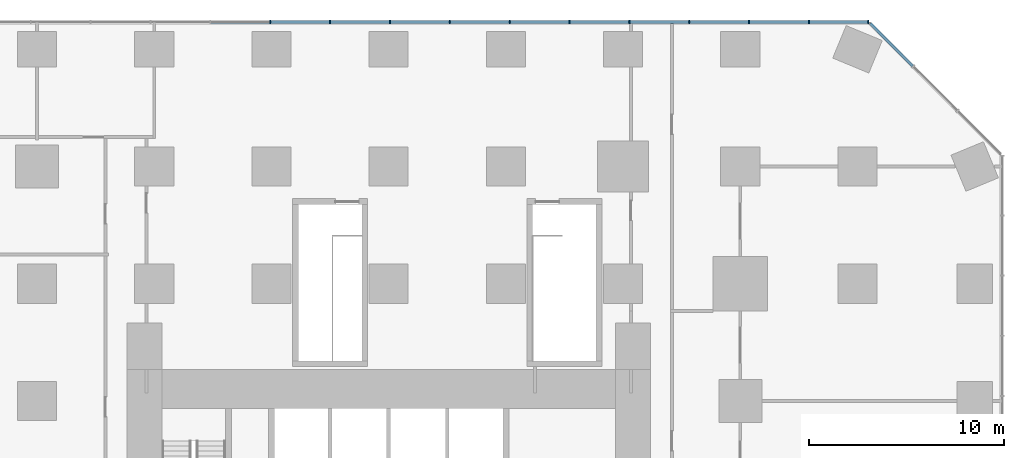
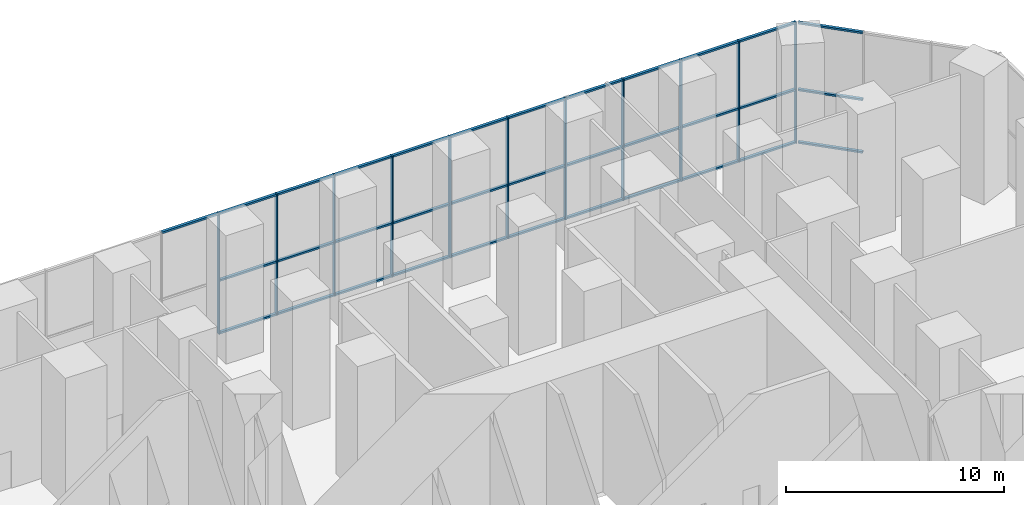
# One storey, part 6 of 16: 45 members, 2 elements without a shape of their own.
"""IFC4 building model written with IfcOpenShell, lengths in metres."""

from ifc_helpers import new_model, si_unit, direction, frame, origin, origin_2d, place, context, subcontext, project, spatial, rectangle, extrude, material, layer, layer_set, material_profile, profile_set, type_object, element, aggregate, save


model = new_model("IFC4")

# Units and contexts
model_context = context("Model", 3, precision=1e-05, world=origin(), true_north=direction((0.0, 1.0)))
body_context = subcontext(model_context, "Body", "Model", "MODEL_VIEW")
ifc_project = project(units=[si_unit("LENGTHUNIT", "METRE"), si_unit("AREAUNIT", "SQUARE_METRE"), si_unit("VOLUMEUNIT", "CUBIC_METRE"), si_unit("PLANEANGLEUNIT", "RADIAN"), si_unit("MASSUNIT", "GRAM", prefix="KILO")], contexts=[model_context])

# Site, building, storey
site_placement = place(None, origin())
site = spatial("IfcSite", under=ifc_project, at=site_placement, CompositionType="ELEMENT")
building_placement = place(site_placement, origin())
building = spatial("IfcBuilding", under=site, at=building_placement, Name="Highveld Stack Headquarters", CompositionType="ELEMENT")
storey_placement = place(building_placement, frame((0.0, 0.0, 11.0)))
storey = spatial("IfcBuildingStorey", under=building, at=storey_placement, Name="L02", CompositionType="ELEMENT", Elevation=11.0)

# Curtain wall, members
ifc_material_1 = material(Name="Aluminium bronze anodised", Category="aluminium")
ifc_layer = layer(ifc_material_1, 0.199951171875)
ifc_layer_set = layer_set([ifc_layer], Name="Aluminium bronze anodised")
curtain_wall_type = type_object("IfcCurtainWallType", Name="CW3 PODIUM STICK CURTAIN WALL", PredefinedType="NOTDEFINED", material=ifc_layer_set)
curtain_wall_1_placement = place(storey_placement, origin())
curtain_wall_1 = element("IfcCurtainWall", 1, at=curtain_wall_1_placement, inside=storey, type_object=curtain_wall_type, Name="Curtain wall CW3 L02 N", PredefinedType="NOTDEFINED")
ifc_material_2 = material(Name="Aluminium bronze anodised", Category="aluminium")
ifc_material_profile_1 = material_profile(ifc_material_2, rectangle(XDim=0.199951171875, YDim=0.06494140625, at=origin_2d()), Name="CW3 MULLION 65x200")
ifc_profile_set_1 = profile_set([ifc_material_profile_1], Name="Aluminium bronze anodised")
member_type_1 = type_object("IfcMemberType", Name="CW3 MULLION 65x200", PredefinedType="MULLION", material=ifc_profile_set_1)
member_1_placement = place(storey_placement, frame((30.54736328125, 31.39990234375, 0.0), z_axis=(0.0, 0.0, 1.0), x_axis=(0.0, -1.0, 0.0)))
member_1 = element("IfcMember", 2, at=member_1_placement, type_object=member_type_1, Name="CW3 mullion L02 1", PredefinedType="MULLION", context=body_context, shape_type="SweptSolid", body=[
    extrude(rectangle(XDim=0.199951171875, YDim=0.06494140625, at=origin_2d()), origin(), (0.0, 0.0, 1.0), 6.800048828125),
])
member_2_placement = place(storey_placement, frame((27.515380859375, 31.39990234375, 0.0), z_axis=(0.0, 0.0, 1.0), x_axis=(0.0, -1.0, 0.0)))
member_2 = element("IfcMember", 3, at=member_2_placement, type_object=member_type_1, Name="CW3 mullion L02 2", PredefinedType="MULLION", context=body_context, shape_type="SweptSolid", body=[
    extrude(rectangle(XDim=0.199951171875, YDim=0.06494140625, at=origin_2d()), origin(), (0.0, 0.0, 1.0), 6.800048828125),
])
member_3_placement = place(storey_placement, frame((24.450927734375, 31.39990234375, 0.0), z_axis=(0.0, 0.0, 1.0), x_axis=(0.0, -1.0, 0.0)))
member_3 = element("IfcMember", 4, at=member_3_placement, type_object=member_type_1, Name="CW3 mullion L02 3", PredefinedType="MULLION", context=body_context, shape_type="SweptSolid", body=[
    extrude(rectangle(XDim=0.199951171875, YDim=0.06494140625, at=origin_2d()), origin(), (0.0, 0.0, 1.0), 6.800048828125),
])
member_4_placement = place(storey_placement, frame((21.38671875, 31.39990234375, 0.0), z_axis=(0.0, 0.0, 1.0), x_axis=(0.0, -1.0, 0.0)))
member_4 = element("IfcMember", 5, at=member_4_placement, type_object=member_type_1, Name="CW3 mullion L02 4", PredefinedType="MULLION", context=body_context, shape_type="SweptSolid", body=[
    extrude(rectangle(XDim=0.199951171875, YDim=0.06494140625, at=origin_2d()), origin(), (0.0, 0.0, 1.0), 6.800048828125),
])
member_5_placement = place(storey_placement, frame((18.322265625, 31.39990234375, 0.0), z_axis=(0.0, 0.0, 1.0), x_axis=(0.0, -1.0, 0.0)))
member_5 = element("IfcMember", 6, at=member_5_placement, type_object=member_type_1, Name="CW3 mullion L02 5", PredefinedType="MULLION", context=body_context, shape_type="SweptSolid", body=[
    extrude(rectangle(XDim=0.199951171875, YDim=0.06494140625, at=origin_2d()), origin(), (0.0, 0.0, 1.0), 6.800048828125),
])
member_6_placement = place(storey_placement, frame((15.2578125, 31.39990234375, 0.0), z_axis=(0.0, 0.0, 1.0), x_axis=(0.0, -1.0, 0.0)))
member_6 = element("IfcMember", 7, at=member_6_placement, type_object=member_type_1, Name="CW3 mullion L02 6", PredefinedType="MULLION", context=body_context, shape_type="SweptSolid", body=[
    extrude(rectangle(XDim=0.199951171875, YDim=0.06494140625, at=origin_2d()), origin(), (0.0, 0.0, 1.0), 6.800048828125),
])
member_7_placement = place(storey_placement, frame((12.193359375, 31.39990234375, 0.0), z_axis=(0.0, 0.0, 1.0), x_axis=(0.0, -1.0, 0.0)))
member_7 = element("IfcMember", 8, at=member_7_placement, type_object=member_type_1, Name="CW3 mullion L02 7", PredefinedType="MULLION", context=body_context, shape_type="SweptSolid", body=[
    extrude(rectangle(XDim=0.199951171875, YDim=0.06494140625, at=origin_2d()), origin(), (0.0, 0.0, 1.0), 6.800048828125),
])
member_8_placement = place(storey_placement, frame((9.12890625, 31.39990234375, 0.0), z_axis=(0.0, 0.0, 1.0), x_axis=(0.0, -1.0, 0.0)))
member_8 = element("IfcMember", 9, at=member_8_placement, type_object=member_type_1, Name="CW3 mullion L02 8", PredefinedType="MULLION", context=body_context, shape_type="SweptSolid", body=[
    extrude(rectangle(XDim=0.199951171875, YDim=0.06494140625, at=origin_2d()), origin(), (0.0, 0.0, 1.0), 6.800048828125),
])
member_9_placement = place(storey_placement, frame((6.064453125, 31.39990234375, 0.0), z_axis=(0.0, 0.0, 1.0), x_axis=(0.0, -1.0, 0.0)))
member_9 = element("IfcMember", 10, at=member_9_placement, type_object=member_type_1, Name="CW3 mullion L02 9", PredefinedType="MULLION", context=body_context, shape_type="SweptSolid", body=[
    extrude(rectangle(XDim=0.199951171875, YDim=0.06494140625, at=origin_2d()), origin(), (0.0, 0.0, 1.0), 6.800048828125),
])
member_10_placement = place(storey_placement, frame((3.0, 31.39990234375, 0.0), z_axis=(0.0, 0.0, 1.0), x_axis=(0.0, -1.0, 0.0)))
member_10 = element("IfcMember", 11, at=member_10_placement, type_object=member_type_1, Name="CW3 mullion L02 10", PredefinedType="MULLION", context=body_context, shape_type="SweptSolid", body=[
    extrude(rectangle(XDim=0.199951171875, YDim=0.06494140625, at=origin_2d()), origin(), (0.0, 0.0, 1.0), 6.800048828125),
])
member_11_placement = place(storey_placement, frame((-0.064453125, 31.39990234375, 0.0), z_axis=(0.0, 0.0, 1.0), x_axis=(0.0, -1.0, 0.0)))
member_11 = element("IfcMember", 12, at=member_11_placement, type_object=member_type_1, Name="CW3 mullion L02 11", PredefinedType="MULLION", context=body_context, shape_type="SweptSolid", body=[
    extrude(rectangle(XDim=0.199951171875, YDim=0.06494140625, at=origin_2d()), origin(), (0.0, 0.0, 1.0), 6.800048828125),
])

curtain_wall_2_placement = place(storey_placement, origin())
curtain_wall_2 = element("IfcCurtainWall", 13, at=curtain_wall_2_placement, inside=storey, type_object=curtain_wall_type, Name="Curtain wall CW3 L02 NE", PredefinedType="NOTDEFINED")
ifc_material_3 = material(Name="Aluminium bronze anodised", Category="aluminium")
ifc_material_profile_2 = material_profile(ifc_material_3, rectangle(XDim=0.14990234375, YDim=0.10009765625, at=origin_2d()), Name="CW3 TRANSOM 150x100")
ifc_profile_set_2 = profile_set([ifc_material_profile_2], Name="Aluminium bronze anodised")
member_type_2 = type_object("IfcMemberType", Name="CW3 STACK TRANSOM 150x100", PredefinedType="USERDEFINED", material=ifc_profile_set_2)
member_12_placement = place(storey_placement, frame((32.830322265625, 29.149658203125, 0.050048828125), z_axis=(-0.707106781187, 0.707106781187, 0.0), x_axis=(-0.707106781187, -0.707106781187, 0.0)))
member_12 = element("IfcMember", 14, at=member_12_placement, type_object=member_type_2, Name="CW3 transom L02 3.1", ObjectType="TRANSOM", PredefinedType="USERDEFINED", context=body_context, shape_type="SweptSolid", body=[
    extrude(rectangle(XDim=0.14990234375, YDim=0.10009765625, at=origin_2d()), origin(), (0.0, 0.0, 1.0), 3.08251953125),
])
member_13_placement = place(storey_placement, frame((32.830322265625, 29.149658203125, 3.0), z_axis=(-0.707106781187, 0.707106781187, 0.0), x_axis=(-0.707106781187, -0.707106781187, 0.0)))
member_13 = element("IfcMember", 15, at=member_13_placement, type_object=member_type_2, Name="CW3 transom L02 3.2", ObjectType="TRANSOM", PredefinedType="USERDEFINED", context=body_context, shape_type="SweptSolid", body=[
    extrude(rectangle(XDim=0.14990234375, YDim=0.10009765625, at=origin_2d()), origin(), (0.0, 0.0, 1.0), 3.08251953125),
])
member_14_placement = place(storey_placement, frame((32.830322265625, 29.149658203125, 6.75), z_axis=(-0.707106781187, 0.707106781187, 0.0), x_axis=(-0.707106781187, -0.707106781187, 0.0)))
member_14 = element("IfcMember", 16, at=member_14_placement, type_object=member_type_2, Name="CW3 transom L02 3.3", ObjectType="TRANSOM", PredefinedType="USERDEFINED", context=body_context, shape_type="SweptSolid", body=[
    extrude(rectangle(XDim=0.14990234375, YDim=0.10009765625, at=origin_2d()), origin(), (0.0, 0.0, 1.0), 3.08251953125),
])
aggregate(curtain_wall_2, [member_12, member_13, member_14])

# Member
member_15_placement = place(storey_placement, frame((30.514892578125, 31.39990234375, 0.050048828125), z_axis=(-1.0, 0.0, 0.0), x_axis=(0.0, -1.0, 0.0)))
member_15 = element("IfcMember", 17, at=member_15_placement, type_object=member_type_2, Name="CW3 transom L02 1.1", ObjectType="TRANSOM", PredefinedType="USERDEFINED", context=body_context, shape_type="SweptSolid", body=[
    extrude(rectangle(XDim=0.14990234375, YDim=0.10009765625, at=origin_2d()), origin(), (0.0, 0.0, 1.0), 2.966796875),
])

member_16_placement = place(storey_placement, frame((30.514892578125, 31.39990234375, 3.0), z_axis=(-1.0, 0.0, 0.0), x_axis=(0.0, -1.0, 0.0)))
member_16 = element("IfcMember", 18, at=member_16_placement, type_object=member_type_2, Name="CW3 transom L02 1.2", ObjectType="TRANSOM", PredefinedType="USERDEFINED", context=body_context, shape_type="SweptSolid", body=[
    extrude(rectangle(XDim=0.14990234375, YDim=0.10009765625, at=origin_2d()), origin(), (0.0, 0.0, 1.0), 2.966796875),
])

member_17_placement = place(storey_placement, frame((30.514892578125, 31.39990234375, 6.75), z_axis=(-1.0, 0.0, 0.0), x_axis=(0.0, -1.0, 0.0)))
member_17 = element("IfcMember", 19, at=member_17_placement, type_object=member_type_2, Name="CW3 transom L02 1.3", ObjectType="TRANSOM", PredefinedType="USERDEFINED", context=body_context, shape_type="SweptSolid", body=[
    extrude(rectangle(XDim=0.14990234375, YDim=0.10009765625, at=origin_2d()), origin(), (0.0, 0.0, 1.0), 2.966796875),
])

member_18_placement = place(storey_placement, frame((27.48291015625, 31.39990234375, 0.050048828125), z_axis=(-1.0, 0.0, 0.0), x_axis=(0.0, -1.0, 0.0)))
member_18 = element("IfcMember", 20, at=member_18_placement, type_object=member_type_2, Name="CW3 transom L02 2.1", ObjectType="TRANSOM", PredefinedType="USERDEFINED", context=body_context, shape_type="SweptSolid", body=[
    extrude(rectangle(XDim=0.14990234375, YDim=0.10009765625, at=origin_2d()), origin(), (0.0, 0.0, 1.0), 2.99951171875),
])

member_19_placement = place(storey_placement, frame((27.48291015625, 31.39990234375, 3.0), z_axis=(-1.0, 0.0, 0.0), x_axis=(0.0, -1.0, 0.0)))
member_19 = element("IfcMember", 21, at=member_19_placement, type_object=member_type_2, Name="CW3 transom L02 2.2", ObjectType="TRANSOM", PredefinedType="USERDEFINED", context=body_context, shape_type="SweptSolid", body=[
    extrude(rectangle(XDim=0.14990234375, YDim=0.10009765625, at=origin_2d()), origin(), (0.0, 0.0, 1.0), 2.99951171875),
])

member_20_placement = place(storey_placement, frame((27.48291015625, 31.39990234375, 6.75), z_axis=(-1.0, 0.0, 0.0), x_axis=(0.0, -1.0, 0.0)))
member_20 = element("IfcMember", 22, at=member_20_placement, type_object=member_type_2, Name="CW3 transom L02 2.3", ObjectType="TRANSOM", PredefinedType="USERDEFINED", context=body_context, shape_type="SweptSolid", body=[
    extrude(rectangle(XDim=0.14990234375, YDim=0.10009765625, at=origin_2d()), origin(), (0.0, 0.0, 1.0), 2.99951171875),
])

member_21_placement = place(storey_placement, frame((24.41845703125, 31.39990234375, 0.050048828125), z_axis=(-1.0, 0.0, 0.0), x_axis=(0.0, -1.0, 0.0)))
member_21 = element("IfcMember", 23, at=member_21_placement, type_object=member_type_2, Name="CW3 transom L02 3.1", ObjectType="TRANSOM", PredefinedType="USERDEFINED", context=body_context, shape_type="SweptSolid", body=[
    extrude(rectangle(XDim=0.14990234375, YDim=0.10009765625, at=origin_2d()), origin(), (0.0, 0.0, 1.0), 2.999267578125),
])

member_22_placement = place(storey_placement, frame((24.41845703125, 31.39990234375, 3.0), z_axis=(-1.0, 0.0, 0.0), x_axis=(0.0, -1.0, 0.0)))
member_22 = element("IfcMember", 24, at=member_22_placement, type_object=member_type_2, Name="CW3 transom L02 3.2", ObjectType="TRANSOM", PredefinedType="USERDEFINED", context=body_context, shape_type="SweptSolid", body=[
    extrude(rectangle(XDim=0.14990234375, YDim=0.10009765625, at=origin_2d()), origin(), (0.0, 0.0, 1.0), 2.999267578125),
])

member_23_placement = place(storey_placement, frame((24.41845703125, 31.39990234375, 6.75), z_axis=(-1.0, 0.0, 0.0), x_axis=(0.0, -1.0, 0.0)))
member_23 = element("IfcMember", 25, at=member_23_placement, type_object=member_type_2, Name="CW3 transom L02 3.3", ObjectType="TRANSOM", PredefinedType="USERDEFINED", context=body_context, shape_type="SweptSolid", body=[
    extrude(rectangle(XDim=0.14990234375, YDim=0.10009765625, at=origin_2d()), origin(), (0.0, 0.0, 1.0), 2.999267578125),
])

member_24_placement = place(storey_placement, frame((21.35400390625, 31.39990234375, 0.050048828125), z_axis=(-1.0, 0.0, 0.0), x_axis=(0.0, -1.0, 0.0)))
member_24 = element("IfcMember", 26, at=member_24_placement, type_object=member_type_2, Name="CW3 transom L02 4.1", ObjectType="TRANSOM", PredefinedType="USERDEFINED", context=body_context, shape_type="SweptSolid", body=[
    extrude(rectangle(XDim=0.14990234375, YDim=0.10009765625, at=origin_2d()), origin(), (0.0, 0.0, 1.0), 2.999267578125),
])

member_25_placement = place(storey_placement, frame((21.35400390625, 31.39990234375, 3.0), z_axis=(-1.0, 0.0, 0.0), x_axis=(0.0, -1.0, 0.0)))
member_25 = element("IfcMember", 27, at=member_25_placement, type_object=member_type_2, Name="CW3 transom L02 4.2", ObjectType="TRANSOM", PredefinedType="USERDEFINED", context=body_context, shape_type="SweptSolid", body=[
    extrude(rectangle(XDim=0.14990234375, YDim=0.10009765625, at=origin_2d()), origin(), (0.0, 0.0, 1.0), 2.999267578125),
])

member_26_placement = place(storey_placement, frame((21.35400390625, 31.39990234375, 6.75), z_axis=(-1.0, 0.0, 0.0), x_axis=(0.0, -1.0, 0.0)))
member_26 = element("IfcMember", 28, at=member_26_placement, type_object=member_type_2, Name="CW3 transom L02 4.3", ObjectType="TRANSOM", PredefinedType="USERDEFINED", context=body_context, shape_type="SweptSolid", body=[
    extrude(rectangle(XDim=0.14990234375, YDim=0.10009765625, at=origin_2d()), origin(), (0.0, 0.0, 1.0), 2.999267578125),
])

member_27_placement = place(storey_placement, frame((18.289794921875, 31.39990234375, 0.050048828125), z_axis=(-1.0, 0.0, 0.0), x_axis=(0.0, -1.0, 0.0)))
member_27 = element("IfcMember", 29, at=member_27_placement, type_object=member_type_2, Name="CW3 transom L02 5.1", ObjectType="TRANSOM", PredefinedType="USERDEFINED", context=body_context, shape_type="SweptSolid", body=[
    extrude(rectangle(XDim=0.14990234375, YDim=0.10009765625, at=origin_2d()), origin(), (0.0, 0.0, 1.0), 2.99951171875),
])

member_28_placement = place(storey_placement, frame((18.289794921875, 31.39990234375, 3.0), z_axis=(-1.0, 0.0, 0.0), x_axis=(0.0, -1.0, 0.0)))
member_28 = element("IfcMember", 30, at=member_28_placement, type_object=member_type_2, Name="CW3 transom L02 5.2", ObjectType="TRANSOM", PredefinedType="USERDEFINED", context=body_context, shape_type="SweptSolid", body=[
    extrude(rectangle(XDim=0.14990234375, YDim=0.10009765625, at=origin_2d()), origin(), (0.0, 0.0, 1.0), 2.99951171875),
])

member_29_placement = place(storey_placement, frame((18.289794921875, 31.39990234375, 6.75), z_axis=(-1.0, 0.0, 0.0), x_axis=(0.0, -1.0, 0.0)))
member_29 = element("IfcMember", 31, at=member_29_placement, type_object=member_type_2, Name="CW3 transom L02 5.3", ObjectType="TRANSOM", PredefinedType="USERDEFINED", context=body_context, shape_type="SweptSolid", body=[
    extrude(rectangle(XDim=0.14990234375, YDim=0.10009765625, at=origin_2d()), origin(), (0.0, 0.0, 1.0), 2.99951171875),
])

member_30_placement = place(storey_placement, frame((15.22509765625, 31.39990234375, 0.050048828125), z_axis=(-1.0, 0.0, 0.0), x_axis=(0.0, -1.0, 0.0)))
member_30 = element("IfcMember", 32, at=member_30_placement, type_object=member_type_2, Name="CW3 transom L02 6.1", ObjectType="TRANSOM", PredefinedType="USERDEFINED", context=body_context, shape_type="SweptSolid", body=[
    extrude(rectangle(XDim=0.14990234375, YDim=0.10009765625, at=origin_2d()), origin(), (0.0, 0.0, 1.0), 2.999267578125),
])

member_31_placement = place(storey_placement, frame((15.22509765625, 31.39990234375, 3.0), z_axis=(-1.0, 0.0, 0.0), x_axis=(0.0, -1.0, 0.0)))
member_31 = element("IfcMember", 33, at=member_31_placement, type_object=member_type_2, Name="CW3 transom L02 6.2", ObjectType="TRANSOM", PredefinedType="USERDEFINED", context=body_context, shape_type="SweptSolid", body=[
    extrude(rectangle(XDim=0.14990234375, YDim=0.10009765625, at=origin_2d()), origin(), (0.0, 0.0, 1.0), 2.999267578125),
])

member_32_placement = place(storey_placement, frame((15.22509765625, 31.39990234375, 6.75), z_axis=(-1.0, 0.0, 0.0), x_axis=(0.0, -1.0, 0.0)))
member_32 = element("IfcMember", 34, at=member_32_placement, type_object=member_type_2, Name="CW3 transom L02 6.3", ObjectType="TRANSOM", PredefinedType="USERDEFINED", context=body_context, shape_type="SweptSolid", body=[
    extrude(rectangle(XDim=0.14990234375, YDim=0.10009765625, at=origin_2d()), origin(), (0.0, 0.0, 1.0), 2.999267578125),
])

member_33_placement = place(storey_placement, frame((12.160888671875, 31.39990234375, 0.050048828125), z_axis=(-1.0, 0.0, 0.0), x_axis=(0.0, -1.0, 0.0)))
member_33 = element("IfcMember", 35, at=member_33_placement, type_object=member_type_2, Name="CW3 transom L02 7.1", ObjectType="TRANSOM", PredefinedType="USERDEFINED", context=body_context, shape_type="SweptSolid", body=[
    extrude(rectangle(XDim=0.14990234375, YDim=0.10009765625, at=origin_2d()), origin(), (0.0, 0.0, 1.0), 2.99951171875),
])

member_34_placement = place(storey_placement, frame((12.160888671875, 31.39990234375, 3.0), z_axis=(-1.0, 0.0, 0.0), x_axis=(0.0, -1.0, 0.0)))
member_34 = element("IfcMember", 36, at=member_34_placement, type_object=member_type_2, Name="CW3 transom L02 7.2", ObjectType="TRANSOM", PredefinedType="USERDEFINED", context=body_context, shape_type="SweptSolid", body=[
    extrude(rectangle(XDim=0.14990234375, YDim=0.10009765625, at=origin_2d()), origin(), (0.0, 0.0, 1.0), 2.99951171875),
])

member_35_placement = place(storey_placement, frame((12.160888671875, 31.39990234375, 6.75), z_axis=(-1.0, 0.0, 0.0), x_axis=(0.0, -1.0, 0.0)))
member_35 = element("IfcMember", 37, at=member_35_placement, type_object=member_type_2, Name="CW3 transom L02 7.3", ObjectType="TRANSOM", PredefinedType="USERDEFINED", context=body_context, shape_type="SweptSolid", body=[
    extrude(rectangle(XDim=0.14990234375, YDim=0.10009765625, at=origin_2d()), origin(), (0.0, 0.0, 1.0), 2.99951171875),
])

member_36_placement = place(storey_placement, frame((9.096435546875, 31.39990234375, 0.050048828125), z_axis=(-1.0, 0.0, 0.0), x_axis=(0.0, -1.0, 0.0)))
member_36 = element("IfcMember", 38, at=member_36_placement, type_object=member_type_2, Name="CW3 transom L02 8.1", ObjectType="TRANSOM", PredefinedType="USERDEFINED", context=body_context, shape_type="SweptSolid", body=[
    extrude(rectangle(XDim=0.14990234375, YDim=0.10009765625, at=origin_2d()), origin(), (0.0, 0.0, 1.0), 2.99951171875),
])

member_37_placement = place(storey_placement, frame((9.096435546875, 31.39990234375, 3.0), z_axis=(-1.0, 0.0, 0.0), x_axis=(0.0, -1.0, 0.0)))
member_37 = element("IfcMember", 39, at=member_37_placement, type_object=member_type_2, Name="CW3 transom L02 8.2", ObjectType="TRANSOM", PredefinedType="USERDEFINED", context=body_context, shape_type="SweptSolid", body=[
    extrude(rectangle(XDim=0.14990234375, YDim=0.10009765625, at=origin_2d()), origin(), (0.0, 0.0, 1.0), 2.99951171875),
])

member_38_placement = place(storey_placement, frame((9.096435546875, 31.39990234375, 6.75), z_axis=(-1.0, 0.0, 0.0), x_axis=(0.0, -1.0, 0.0)))
member_38 = element("IfcMember", 40, at=member_38_placement, type_object=member_type_2, Name="CW3 transom L02 8.3", ObjectType="TRANSOM", PredefinedType="USERDEFINED", context=body_context, shape_type="SweptSolid", body=[
    extrude(rectangle(XDim=0.14990234375, YDim=0.10009765625, at=origin_2d()), origin(), (0.0, 0.0, 1.0), 2.99951171875),
])

member_39_placement = place(storey_placement, frame((6.031982421875, 31.39990234375, 0.050048828125), z_axis=(-1.0, 0.0, 0.0), x_axis=(0.0, -1.0, 0.0)))
member_39 = element("IfcMember", 41, at=member_39_placement, type_object=member_type_2, Name="CW3 transom L02 9.1", ObjectType="TRANSOM", PredefinedType="USERDEFINED", context=body_context, shape_type="SweptSolid", body=[
    extrude(rectangle(XDim=0.14990234375, YDim=0.10009765625, at=origin_2d()), origin(), (0.0, 0.0, 1.0), 2.99951171875),
])

member_40_placement = place(storey_placement, frame((6.031982421875, 31.39990234375, 3.0), z_axis=(-1.0, 0.0, 0.0), x_axis=(0.0, -1.0, 0.0)))
member_40 = element("IfcMember", 42, at=member_40_placement, type_object=member_type_2, Name="CW3 transom L02 9.2", ObjectType="TRANSOM", PredefinedType="USERDEFINED", context=body_context, shape_type="SweptSolid", body=[
    extrude(rectangle(XDim=0.14990234375, YDim=0.10009765625, at=origin_2d()), origin(), (0.0, 0.0, 1.0), 2.99951171875),
])

member_41_placement = place(storey_placement, frame((6.031982421875, 31.39990234375, 6.75), z_axis=(-1.0, 0.0, 0.0), x_axis=(0.0, -1.0, 0.0)))
member_41 = element("IfcMember", 43, at=member_41_placement, type_object=member_type_2, Name="CW3 transom L02 9.3", ObjectType="TRANSOM", PredefinedType="USERDEFINED", context=body_context, shape_type="SweptSolid", body=[
    extrude(rectangle(XDim=0.14990234375, YDim=0.10009765625, at=origin_2d()), origin(), (0.0, 0.0, 1.0), 2.99951171875),
])

member_42_placement = place(storey_placement, frame((2.967529296875, 31.39990234375, 0.050048828125), z_axis=(-1.0, 0.0, 0.0), x_axis=(0.0, -1.0, 0.0)))
member_42 = element("IfcMember", 44, at=member_42_placement, type_object=member_type_2, Name="CW3 transom L02 10.1", ObjectType="TRANSOM", PredefinedType="USERDEFINED", context=body_context, shape_type="SweptSolid", body=[
    extrude(rectangle(XDim=0.14990234375, YDim=0.10009765625, at=origin_2d()), origin(), (0.0, 0.0, 1.0), 2.99951171875),
])

member_43_placement = place(storey_placement, frame((2.967529296875, 31.39990234375, 3.0), z_axis=(-1.0, 0.0, 0.0), x_axis=(0.0, -1.0, 0.0)))
member_43 = element("IfcMember", 45, at=member_43_placement, type_object=member_type_2, Name="CW3 transom L02 10.2", ObjectType="TRANSOM", PredefinedType="USERDEFINED", context=body_context, shape_type="SweptSolid", body=[
    extrude(rectangle(XDim=0.14990234375, YDim=0.10009765625, at=origin_2d()), origin(), (0.0, 0.0, 1.0), 2.99951171875),
])

member_44_placement = place(storey_placement, frame((2.967529296875, 31.39990234375, 6.75), z_axis=(-1.0, 0.0, 0.0), x_axis=(0.0, -1.0, 0.0)))
member_44 = element("IfcMember", 46, at=member_44_placement, type_object=member_type_2, Name="CW3 transom L02 10.3", ObjectType="TRANSOM", PredefinedType="USERDEFINED", context=body_context, shape_type="SweptSolid", body=[
    extrude(rectangle(XDim=0.14990234375, YDim=0.10009765625, at=origin_2d()), origin(), (0.0, 0.0, 1.0), 2.99951171875),
])

member_45_placement = place(storey_placement, frame((-0.096923828125, 31.39990234375, 6.75), z_axis=(-1.0, 0.0, 0.0), x_axis=(0.0, -1.0, 0.0)))
member_45 = element("IfcMember", 47, at=member_45_placement, type_object=member_type_2, Name="CW3 transom L02 11.3", ObjectType="TRANSOM", PredefinedType="USERDEFINED", context=body_context, shape_type="SweptSolid", body=[
    extrude(rectangle(XDim=0.14990234375, YDim=0.10009765625, at=origin_2d()), origin(), (0.0, 0.0, 1.0), 2.99951171875),
])

aggregate(curtain_wall_1, [member_1, member_2, member_3, member_4, member_5, member_6, member_7, member_8, member_9, member_10, member_11, member_15, member_16, member_17, member_18, member_19, member_20, member_21, member_22, member_23, member_24, member_25, member_26, member_27, member_28, member_29, member_30, member_31, member_32, member_33, member_34, member_35, member_36, member_37, member_38, member_39, member_40, member_41, member_42, member_43, member_44, member_45])

save(model, "model.ifc")
